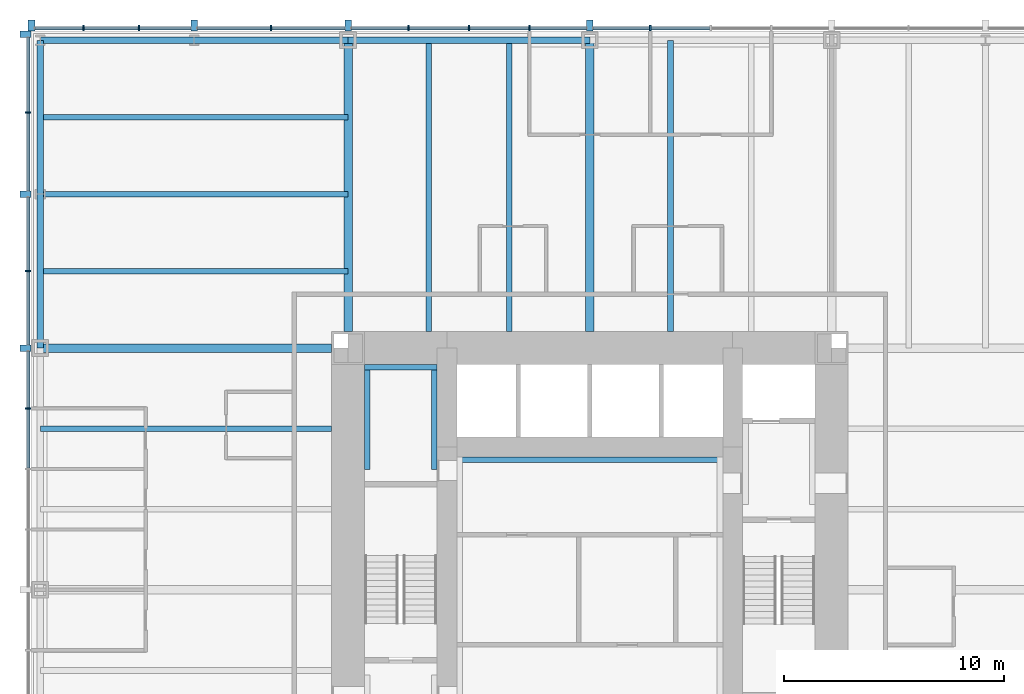
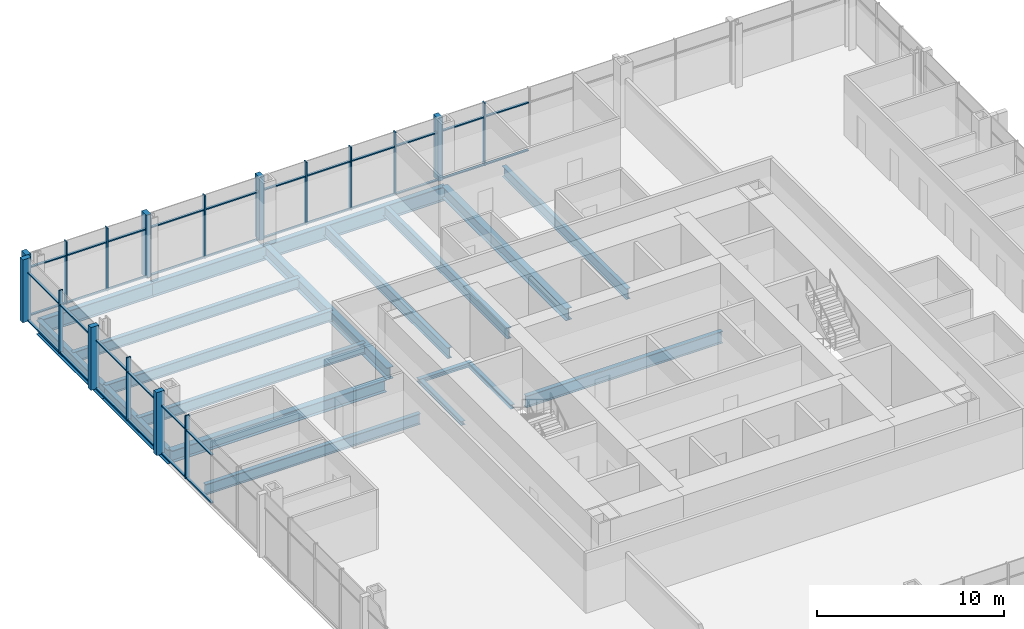
# One storey, part 5 of 12: 51 members, 19 beams, 2 elements without a shape of their own.
"""IFC4 building model written with IfcOpenShell, lengths in metres."""

from ifc_helpers import new_model, si_unit, direction, frame, origin, origin_2d, place, context, subcontext, project, spatial, rectangle, i_section, extrude, material, material_profile, profile_set, type_object, element, aggregate, save


model = new_model("IFC4")

# Units and contexts
model_context = context("Model", 3, precision=1e-05, world=origin(), true_north=direction((0.0, 1.0)))
body_context = subcontext(model_context, "Body", "Model", "MODEL_VIEW")
ifc_project = project(units=[si_unit("LENGTHUNIT", "METRE"), si_unit("AREAUNIT", "SQUARE_METRE"), si_unit("VOLUMEUNIT", "CUBIC_METRE"), si_unit("PLANEANGLEUNIT", "RADIAN"), si_unit("MASSUNIT", "GRAM", prefix="KILO")], contexts=[model_context])

# Site, building, storey
site_placement = place(None, origin())
site = spatial("IfcSite", under=ifc_project, at=site_placement, CompositionType="ELEMENT")
building_placement = place(site_placement, origin())
building = spatial("IfcBuilding", under=site, at=building_placement, Name="Trevanion Tower", CompositionType="ELEMENT")
storey_placement = place(building_placement, frame((0.0, 0.0, 44.699951171875)))
storey = spatial("IfcBuildingStorey", under=building, at=storey_placement, Name="L10", CompositionType="ELEMENT", Elevation=44.699951171875)

# Beams
ifc_material_1 = material(Name="Steel ASTM A992 Grade 50", Category="steel")
ifc_material_profile_1 = material_profile(ifc_material_1, i_section(OverallWidth=0.25390625, OverallDepth=0.700927734375, WebThickness=0.015380859375, FlangeThickness=0.02783203125, at=origin_2d()), Name="W27X129")
ifc_profile_set_1 = profile_set([ifc_material_profile_1], Name="Steel ASTM A992 Grade 50")
beam_type_1 = type_object("IfcBeamType", Name="B3 W27X129", PredefinedType="BEAM", material=ifc_profile_set_1)
for number, where, z_axis, x_axis, name in (
    (1, (3.666748046875, 11.75, -0.54052734375), (0.0, 1.0, 0.0), (-1.0, 0.0, 0.0), "B3 L10"),
    (2, (-3.666748046875, 11.75, -0.54052734375), (0.0, 1.0, 0.0), (-1.0, 0.0, 0.0), "B3 L10"),
    (3, (-7.333251953125, 11.75, -0.54052734375), (0.0, 1.0, 0.0), (-1.0, 0.0, 0.0), "B3 L10"),
    (4, (-11.75, 7.333251953125, -0.54052734375), (-1.0, 0.0, 0.0), (0.0, -1.0, 0.0), "B3 L10"),
):
    element("IfcBeam", number, at=place(storey_placement, frame(where, z_axis=z_axis, x_axis=x_axis)), inside=storey, type_object=beam_type_1, Name=name, PredefinedType="BEAM", context=body_context, shape_type="SweptSolid", body=[
        extrude(i_section(OverallWidth=0.25390625, OverallDepth=0.700927734375, WebThickness=0.015380859375, FlangeThickness=0.02783203125, at=origin_2d()), origin(), (0.0, 0.0, 1.0), 13.25),
    ])
ifc_material_2 = material(Name="Steel ASTM A992 Grade 50", Category="steel")
ifc_material_profile_2 = material_profile(ifc_material_2, i_section(OverallWidth=0.256591796875, OverallDepth=0.693359375, WebThickness=0.014404296875, FlangeThickness=0.023681640625, at=origin_2d()), Name="W27X114")
ifc_profile_set_2 = profile_set([ifc_material_profile_2], Name="Steel ASTM A992 Grade 50")
beam_type_2 = type_object("IfcBeamType", Name="B4 W27X114", PredefinedType="BEAM", material=ifc_profile_set_2)
for number, where, z_axis, x_axis, name in (
    (5, (-11.0, 14.5, -0.53662109375), (-1.0, 0.0, 0.0), (0.0, -1.0, 0.0), "B4 L10"),
    (6, (-11.0, 18.0, -0.53662109375), (-1.0, 0.0, 0.0), (0.0, -1.0, 0.0), "B4 L10"),
    (7, (-11.0, 21.5, -0.53662109375), (-1.0, 0.0, 0.0), (0.0, -1.0, 0.0), "B4 L10"),
):
    element("IfcBeam", number, at=place(storey_placement, frame(where, z_axis=z_axis, x_axis=x_axis)), inside=storey, type_object=beam_type_2, Name=name, PredefinedType="BEAM", context=body_context, shape_type="SweptSolid", body=[
        extrude(i_section(OverallWidth=0.256591796875, OverallDepth=0.693359375, WebThickness=0.014404296875, FlangeThickness=0.023681640625, at=origin_2d()), origin(), (0.0, 0.0, 1.0), 14.0),
    ])

# Curtain wall, members
ifc_material_3 = material(Name="Aluminium and glass", Category="aluminium")
curtain_wall_type = type_object("IfcCurtainWallType", Name="CW1 curtain wall", PredefinedType="USERDEFINED", material=ifc_material_3)
curtain_wall_1_placement = place(storey_placement, origin())
curtain_wall_1 = element("IfcCurtainWall", 8, at=curtain_wall_1_placement, inside=storey, type_object=curtain_wall_type, Name="CW1 L10 1", ObjectType="UNITISED CURTAIN WALL", PredefinedType="USERDEFINED")
ifc_material_4 = material(Name="Aluminium extrusion, anodised bronze", Category="aluminium")
ifc_material_profile_3 = material_profile(ifc_material_4, rectangle(XDim=0.074951171875, YDim=0.25, at=origin_2d()), Name="CW1 mullion")
ifc_profile_set_3 = profile_set([ifc_material_profile_3], Name="Aluminium extrusion, anodised bronze")
member_type_1 = type_object("IfcMemberType", Name="CW1 mullion", PredefinedType="MULLION", material=ifc_profile_set_3)
member_1_placement = place(storey_placement, frame((2.75, 25.550048828125, -0.18994140625), z_axis=(0.0, 0.0, 1.0), x_axis=(-1.0, 0.0, 0.0)))
member_1 = element("IfcMember", 9, at=member_1_placement, type_object=member_type_1, Name="CW1 mullion 8", PredefinedType="MULLION", context=body_context, shape_type="SweptSolid", body=[
    extrude(rectangle(XDim=0.074951171875, YDim=0.25, at=origin_2d()), origin(), (0.0, 0.0, 1.0), 4.10009765625),
])
member_2_placement = place(storey_placement, frame((-2.75, 25.550048828125, -0.18994140625), z_axis=(0.0, 0.0, 1.0), x_axis=(-1.0, 0.0, 0.0)))
member_2 = element("IfcMember", 10, at=member_2_placement, type_object=member_type_1, Name="CW1 mullion 10", PredefinedType="MULLION", context=body_context, shape_type="SweptSolid", body=[
    extrude(rectangle(XDim=0.074951171875, YDim=0.25, at=origin_2d()), origin(), (0.0, 0.0, 1.0), 4.10009765625),
])
member_3_placement = place(storey_placement, frame((-5.5, 25.550048828125, -0.18994140625), z_axis=(0.0, 0.0, 1.0), x_axis=(-1.0, 0.0, 0.0)))
member_3 = element("IfcMember", 11, at=member_3_placement, type_object=member_type_1, Name="CW1 mullion 11", PredefinedType="MULLION", context=body_context, shape_type="SweptSolid", body=[
    extrude(rectangle(XDim=0.074951171875, YDim=0.25, at=origin_2d()), origin(), (0.0, 0.0, 1.0), 4.10009765625),
])
member_4_placement = place(storey_placement, frame((-8.25, 25.550048828125, -0.18994140625), z_axis=(0.0, 0.0, 1.0), x_axis=(-1.0, 0.0, 0.0)))
member_4 = element("IfcMember", 12, at=member_4_placement, type_object=member_type_1, Name="CW1 mullion 12", PredefinedType="MULLION", context=body_context, shape_type="SweptSolid", body=[
    extrude(rectangle(XDim=0.074951171875, YDim=0.25, at=origin_2d()), origin(), (0.0, 0.0, 1.0), 4.10009765625),
])
member_5_placement = place(storey_placement, frame((-14.5, 25.550048828125, -0.18994140625), z_axis=(0.0, 0.0, 1.0), x_axis=(-1.0, 0.0, 0.0)))
member_5 = element("IfcMember", 13, at=member_5_placement, type_object=member_type_1, Name="CW1 mullion 14", PredefinedType="MULLION", context=body_context, shape_type="SweptSolid", body=[
    extrude(rectangle(XDim=0.074951171875, YDim=0.25, at=origin_2d()), origin(), (0.0, 0.0, 1.0), 4.10009765625),
])
member_6_placement = place(storey_placement, frame((-20.5166015625, 25.550048828125, -0.18994140625), z_axis=(0.0, 0.0, 1.0), x_axis=(-1.0, 0.0, 0.0)))
member_6 = element("IfcMember", 14, at=member_6_placement, type_object=member_type_1, Name="CW1 mullion 16", PredefinedType="MULLION", context=body_context, shape_type="SweptSolid", body=[
    extrude(rectangle(XDim=0.074951171875, YDim=0.25, at=origin_2d()), origin(), (0.0, 0.0, 1.0), 4.10009765625),
])
member_7_placement = place(storey_placement, frame((-23.033203125, 25.550048828125, -0.18994140625), z_axis=(0.0, 0.0, 1.0), x_axis=(-1.0, 0.0, 0.0)))
member_7 = element("IfcMember", 15, at=member_7_placement, type_object=member_type_1, Name="CW1 mullion 17", PredefinedType="MULLION", context=body_context, shape_type="SweptSolid", body=[
    extrude(rectangle(XDim=0.074951171875, YDim=0.25, at=origin_2d()), origin(), (0.0, 0.0, 1.0), 4.10009765625),
])

curtain_wall_2_placement = place(storey_placement, origin())
curtain_wall_2 = element("IfcCurtainWall", 16, at=curtain_wall_2_placement, inside=storey, type_object=curtain_wall_type, Name="CW1 L10 2", ObjectType="UNITISED CURTAIN WALL", PredefinedType="USERDEFINED")
member_8_placement = place(storey_placement, frame((-25.550048828125, 21.7099609375, -0.18994140625), z_axis=(0.0, 0.0, 1.0), x_axis=(0.0, -1.0, 0.0)))
member_8 = element("IfcMember", 17, at=member_8_placement, type_object=member_type_1, Name="CW1 mullion 2", PredefinedType="MULLION", context=body_context, shape_type="SweptSolid", body=[
    extrude(rectangle(XDim=0.074951171875, YDim=0.25, at=origin_2d()), origin(), (0.0, 0.0, 1.0), 4.10009765625),
])
member_9_placement = place(storey_placement, frame((-25.550048828125, 14.5, -0.18994140625), z_axis=(0.0, 0.0, 1.0), x_axis=(0.0, -1.0, 0.0)))
member_9 = element("IfcMember", 18, at=member_9_placement, type_object=member_type_1, Name="CW1 mullion 4", PredefinedType="MULLION", context=body_context, shape_type="SweptSolid", body=[
    extrude(rectangle(XDim=0.074951171875, YDim=0.25, at=origin_2d()), origin(), (0.0, 0.0, 1.0), 4.10009765625),
])
member_10_placement = place(storey_placement, frame((-25.550048828125, 8.25, -0.18994140625), z_axis=(0.0, 0.0, 1.0), x_axis=(0.0, -1.0, 0.0)))
member_10 = element("IfcMember", 19, at=member_10_placement, type_object=member_type_1, Name="CW1 mullion 6", PredefinedType="MULLION", context=body_context, shape_type="SweptSolid", body=[
    extrude(rectangle(XDim=0.074951171875, YDim=0.25, at=origin_2d()), origin(), (0.0, 0.0, 1.0), 4.10009765625),
])

# Member
ifc_material_5 = material(Name="Aluminium extrusion, anodised bronze", Category="aluminium")
ifc_material_profile_4 = material_profile(ifc_material_5, rectangle(XDim=0.300048828125, YDim=0.5, at=origin_2d()), Name="CW1 pier mullion")
ifc_profile_set_4 = profile_set([ifc_material_profile_4], Name="Aluminium extrusion, anodised bronze")
member_type_2 = type_object("IfcMemberType", Name="CW1 pier mullion", PredefinedType="MULLION", material=ifc_profile_set_4)
member_11_placement = place(storey_placement, frame((0.0, 25.675048828125, -0.18994140625), z_axis=(0.0, 0.0, 1.0), x_axis=(-1.0, 0.0, 0.0)))
member_11 = element("IfcMember", 20, at=member_11_placement, type_object=member_type_2, Name="CW1 pier mullion 9", PredefinedType="MULLION", context=body_context, shape_type="SweptSolid", body=[
    extrude(rectangle(XDim=0.300048828125, YDim=0.5, at=origin_2d()), origin(), (0.0, 0.0, 1.0), 4.10009765625),
])

member_12_placement = place(storey_placement, frame((-11.0, 25.675048828125, -0.18994140625), z_axis=(0.0, 0.0, 1.0), x_axis=(-1.0, 0.0, 0.0)))
member_12 = element("IfcMember", 21, at=member_12_placement, type_object=member_type_2, Name="CW1 pier mullion 13", PredefinedType="MULLION", context=body_context, shape_type="SweptSolid", body=[
    extrude(rectangle(XDim=0.300048828125, YDim=0.5, at=origin_2d()), origin(), (0.0, 0.0, 1.0), 4.10009765625),
])

member_13_placement = place(storey_placement, frame((-18.0, 25.675048828125, -0.18994140625), z_axis=(0.0, 0.0, 1.0), x_axis=(-1.0, 0.0, 0.0)))
member_13 = element("IfcMember", 22, at=member_13_placement, type_object=member_type_2, Name="CW1 pier mullion 15", PredefinedType="MULLION", context=body_context, shape_type="SweptSolid", body=[
    extrude(rectangle(XDim=0.300048828125, YDim=0.5, at=origin_2d()), origin(), (0.0, 0.0, 1.0), 4.10009765625),
])

member_14_placement = place(storey_placement, frame((-25.39990234375, 25.675048828125, -0.18994140625), z_axis=(0.0, 0.0, 1.0), x_axis=(-1.0, 0.0, 0.0)))
member_14 = element("IfcMember", 23, at=member_14_placement, type_object=member_type_2, Name="CW1 pier mullion 18", PredefinedType="MULLION", context=body_context, shape_type="SweptSolid", body=[
    extrude(rectangle(XDim=0.300048828125, YDim=0.5, at=origin_2d()), origin(), (0.0, 0.0, 1.0), 4.10009765625),
])

member_15_placement = place(storey_placement, frame((-25.675048828125, 25.27001953125, -0.18994140625), z_axis=(0.0, 0.0, 1.0), x_axis=(0.0, -1.0, 0.0)))
member_15 = element("IfcMember", 24, at=member_15_placement, type_object=member_type_2, Name="CW1 pier mullion 1", PredefinedType="MULLION", context=body_context, shape_type="SweptSolid", body=[
    extrude(rectangle(XDim=0.300048828125, YDim=0.5, at=origin_2d()), origin(), (0.0, 0.0, 1.0), 4.10009765625),
])

member_16_placement = place(storey_placement, frame((-25.675048828125, 18.0, -0.18994140625), z_axis=(0.0, 0.0, 1.0), x_axis=(0.0, -1.0, 0.0)))
member_16 = element("IfcMember", 25, at=member_16_placement, type_object=member_type_2, Name="CW1 pier mullion 3", PredefinedType="MULLION", context=body_context, shape_type="SweptSolid", body=[
    extrude(rectangle(XDim=0.300048828125, YDim=0.5, at=origin_2d()), origin(), (0.0, 0.0, 1.0), 4.10009765625),
])

member_17_placement = place(storey_placement, frame((-25.675048828125, 11.0, -0.18994140625), z_axis=(0.0, 0.0, 1.0), x_axis=(0.0, -1.0, 0.0)))
member_17 = element("IfcMember", 26, at=member_17_placement, type_object=member_type_2, Name="CW1 pier mullion 5", PredefinedType="MULLION", context=body_context, shape_type="SweptSolid", body=[
    extrude(rectangle(XDim=0.300048828125, YDim=0.5, at=origin_2d()), origin(), (0.0, 0.0, 1.0), 4.10009765625),
])

ifc_material_6 = material(Name="Aluminium extrusion, anodised bronze", Category="aluminium")
ifc_material_profile_5 = material_profile(ifc_material_6, rectangle(XDim=0.14990234375, YDim=0.074951171875, at=origin_2d()), Name="CW1 transom")
ifc_profile_set_5 = profile_set([ifc_material_profile_5], Name="Aluminium extrusion, anodised bronze")
member_type_3 = type_object("IfcMemberType", Name="CW1 transom", PredefinedType="USERDEFINED", material=ifc_profile_set_5)
member_18_placement = place(storey_placement, frame((5.46240234375, 25.550048828125, -0.15234375), z_axis=(-1.0, 0.0, 0.0), x_axis=(0.0, -1.0, 0.0)))
member_18 = element("IfcMember", 27, at=member_18_placement, type_object=member_type_3, Name="CW1 transom 7.1", ObjectType="TRANSOM", PredefinedType="USERDEFINED", context=body_context, shape_type="SweptSolid", body=[
    extrude(rectangle(XDim=0.14990234375, YDim=0.074951171875, at=origin_2d()), origin(), (0.0, 0.0, 1.0), 2.6748046875),
])

member_19_placement = place(storey_placement, frame((5.46240234375, 25.550048828125, 2.9599609375), z_axis=(-1.0, 0.0, 0.0), x_axis=(0.0, -1.0, 0.0)))
member_19 = element("IfcMember", 28, at=member_19_placement, type_object=member_type_3, Name="CW1 transom 7.2", ObjectType="TRANSOM", PredefinedType="USERDEFINED", context=body_context, shape_type="SweptSolid", body=[
    extrude(rectangle(XDim=0.14990234375, YDim=0.074951171875, at=origin_2d()), origin(), (0.0, 0.0, 1.0), 2.6748046875),
])

member_20_placement = place(storey_placement, frame((2.71240234375, 25.550048828125, -0.15234375), z_axis=(-1.0, 0.0, 0.0), x_axis=(0.0, -1.0, 0.0)))
member_20 = element("IfcMember", 29, at=member_20_placement, type_object=member_type_3, Name="CW1 transom 8.1", ObjectType="TRANSOM", PredefinedType="USERDEFINED", context=body_context, shape_type="SweptSolid", body=[
    extrude(rectangle(XDim=0.14990234375, YDim=0.074951171875, at=origin_2d()), origin(), (0.0, 0.0, 1.0), 2.5625),
])

member_21_placement = place(storey_placement, frame((2.71240234375, 25.550048828125, 2.9599609375), z_axis=(-1.0, 0.0, 0.0), x_axis=(0.0, -1.0, 0.0)))
member_21 = element("IfcMember", 30, at=member_21_placement, type_object=member_type_3, Name="CW1 transom 8.2", ObjectType="TRANSOM", PredefinedType="USERDEFINED", context=body_context, shape_type="SweptSolid", body=[
    extrude(rectangle(XDim=0.14990234375, YDim=0.074951171875, at=origin_2d()), origin(), (0.0, 0.0, 1.0), 2.5625),
])

member_22_placement = place(storey_placement, frame((-0.14990234375, 25.550048828125, -0.15234375), z_axis=(-1.0, 0.0, 0.0), x_axis=(0.0, -1.0, 0.0)))
member_22 = element("IfcMember", 31, at=member_22_placement, type_object=member_type_3, Name="CW1 transom 9.1", ObjectType="TRANSOM", PredefinedType="USERDEFINED", context=body_context, shape_type="SweptSolid", body=[
    extrude(rectangle(XDim=0.14990234375, YDim=0.074951171875, at=origin_2d()), origin(), (0.0, 0.0, 1.0), 2.5625),
])

member_23_placement = place(storey_placement, frame((-0.14990234375, 25.550048828125, 2.9599609375), z_axis=(-1.0, 0.0, 0.0), x_axis=(0.0, -1.0, 0.0)))
member_23 = element("IfcMember", 32, at=member_23_placement, type_object=member_type_3, Name="CW1 transom 9.2", ObjectType="TRANSOM", PredefinedType="USERDEFINED", context=body_context, shape_type="SweptSolid", body=[
    extrude(rectangle(XDim=0.14990234375, YDim=0.074951171875, at=origin_2d()), origin(), (0.0, 0.0, 1.0), 2.5625),
])

member_24_placement = place(storey_placement, frame((-2.78759765625, 25.550048828125, -0.15234375), z_axis=(-1.0, 0.0, 0.0), x_axis=(0.0, -1.0, 0.0)))
member_24 = element("IfcMember", 33, at=member_24_placement, type_object=member_type_3, Name="CW1 transom 10.1", ObjectType="TRANSOM", PredefinedType="USERDEFINED", context=body_context, shape_type="SweptSolid", body=[
    extrude(rectangle(XDim=0.14990234375, YDim=0.074951171875, at=origin_2d()), origin(), (0.0, 0.0, 1.0), 2.6748046875),
])

member_25_placement = place(storey_placement, frame((-2.78759765625, 25.550048828125, 2.9599609375), z_axis=(-1.0, 0.0, 0.0), x_axis=(0.0, -1.0, 0.0)))
member_25 = element("IfcMember", 34, at=member_25_placement, type_object=member_type_3, Name="CW1 transom 10.2", ObjectType="TRANSOM", PredefinedType="USERDEFINED", context=body_context, shape_type="SweptSolid", body=[
    extrude(rectangle(XDim=0.14990234375, YDim=0.074951171875, at=origin_2d()), origin(), (0.0, 0.0, 1.0), 2.6748046875),
])

member_26_placement = place(storey_placement, frame((-5.53759765625, 25.550048828125, -0.15234375), z_axis=(-1.0, 0.0, 0.0), x_axis=(0.0, -1.0, 0.0)))
member_26 = element("IfcMember", 35, at=member_26_placement, type_object=member_type_3, Name="CW1 transom 11.1", ObjectType="TRANSOM", PredefinedType="USERDEFINED", context=body_context, shape_type="SweptSolid", body=[
    extrude(rectangle(XDim=0.14990234375, YDim=0.074951171875, at=origin_2d()), origin(), (0.0, 0.0, 1.0), 2.6748046875),
])

member_27_placement = place(storey_placement, frame((-5.53759765625, 25.550048828125, 2.9599609375), z_axis=(-1.0, 0.0, 0.0), x_axis=(0.0, -1.0, 0.0)))
member_27 = element("IfcMember", 36, at=member_27_placement, type_object=member_type_3, Name="CW1 transom 11.2", ObjectType="TRANSOM", PredefinedType="USERDEFINED", context=body_context, shape_type="SweptSolid", body=[
    extrude(rectangle(XDim=0.14990234375, YDim=0.074951171875, at=origin_2d()), origin(), (0.0, 0.0, 1.0), 2.6748046875),
])

member_28_placement = place(storey_placement, frame((-8.28759765625, 25.550048828125, -0.15234375), z_axis=(-1.0, 0.0, 0.0), x_axis=(0.0, -1.0, 0.0)))
member_28 = element("IfcMember", 37, at=member_28_placement, type_object=member_type_3, Name="CW1 transom 12.1", ObjectType="TRANSOM", PredefinedType="USERDEFINED", context=body_context, shape_type="SweptSolid", body=[
    extrude(rectangle(XDim=0.14990234375, YDim=0.074951171875, at=origin_2d()), origin(), (0.0, 0.0, 1.0), 2.5625),
])

member_29_placement = place(storey_placement, frame((-8.28759765625, 25.550048828125, 2.9599609375), z_axis=(-1.0, 0.0, 0.0), x_axis=(0.0, -1.0, 0.0)))
member_29 = element("IfcMember", 38, at=member_29_placement, type_object=member_type_3, Name="CW1 transom 12.2", ObjectType="TRANSOM", PredefinedType="USERDEFINED", context=body_context, shape_type="SweptSolid", body=[
    extrude(rectangle(XDim=0.14990234375, YDim=0.074951171875, at=origin_2d()), origin(), (0.0, 0.0, 1.0), 2.5625),
])

member_30_placement = place(storey_placement, frame((-11.14990234375, 25.550048828125, -0.15234375), z_axis=(-1.0, 0.0, 0.0), x_axis=(0.0, -1.0, 0.0)))
member_30 = element("IfcMember", 39, at=member_30_placement, type_object=member_type_3, Name="CW1 transom 13.1", ObjectType="TRANSOM", PredefinedType="USERDEFINED", context=body_context, shape_type="SweptSolid", body=[
    extrude(rectangle(XDim=0.14990234375, YDim=0.074951171875, at=origin_2d()), origin(), (0.0, 0.0, 1.0), 3.3125),
])

member_31_placement = place(storey_placement, frame((-11.14990234375, 25.550048828125, 2.9599609375), z_axis=(-1.0, 0.0, 0.0), x_axis=(0.0, -1.0, 0.0)))
member_31 = element("IfcMember", 40, at=member_31_placement, type_object=member_type_3, Name="CW1 transom 13.2", ObjectType="TRANSOM", PredefinedType="USERDEFINED", context=body_context, shape_type="SweptSolid", body=[
    extrude(rectangle(XDim=0.14990234375, YDim=0.074951171875, at=origin_2d()), origin(), (0.0, 0.0, 1.0), 3.3125),
])

member_32_placement = place(storey_placement, frame((-14.53759765625, 25.550048828125, -0.15234375), z_axis=(-1.0, 0.0, 0.0), x_axis=(0.0, -1.0, 0.0)))
member_32 = element("IfcMember", 41, at=member_32_placement, type_object=member_type_3, Name="CW1 transom 14.1", ObjectType="TRANSOM", PredefinedType="USERDEFINED", context=body_context, shape_type="SweptSolid", body=[
    extrude(rectangle(XDim=0.14990234375, YDim=0.074951171875, at=origin_2d()), origin(), (0.0, 0.0, 1.0), 3.3125),
])

member_33_placement = place(storey_placement, frame((-14.53759765625, 25.550048828125, 2.9599609375), z_axis=(-1.0, 0.0, 0.0), x_axis=(0.0, -1.0, 0.0)))
member_33 = element("IfcMember", 42, at=member_33_placement, type_object=member_type_3, Name="CW1 transom 14.2", ObjectType="TRANSOM", PredefinedType="USERDEFINED", context=body_context, shape_type="SweptSolid", body=[
    extrude(rectangle(XDim=0.14990234375, YDim=0.074951171875, at=origin_2d()), origin(), (0.0, 0.0, 1.0), 3.3125),
])

member_34_placement = place(storey_placement, frame((-18.14990234375, 25.550048828125, -0.15234375), z_axis=(-1.0, 0.0, 0.0), x_axis=(0.0, -1.0, 0.0)))
member_34 = element("IfcMember", 43, at=member_34_placement, type_object=member_type_3, Name="CW1 transom 15.1", ObjectType="TRANSOM", PredefinedType="USERDEFINED", context=body_context, shape_type="SweptSolid", body=[
    extrude(rectangle(XDim=0.14990234375, YDim=0.074951171875, at=origin_2d()), origin(), (0.0, 0.0, 1.0), 2.329345703125),
])

member_35_placement = place(storey_placement, frame((-18.14990234375, 25.550048828125, 2.9599609375), z_axis=(-1.0, 0.0, 0.0), x_axis=(0.0, -1.0, 0.0)))
member_35 = element("IfcMember", 44, at=member_35_placement, type_object=member_type_3, Name="CW1 transom 15.2", ObjectType="TRANSOM", PredefinedType="USERDEFINED", context=body_context, shape_type="SweptSolid", body=[
    extrude(rectangle(XDim=0.14990234375, YDim=0.074951171875, at=origin_2d()), origin(), (0.0, 0.0, 1.0), 2.329345703125),
])

member_36_placement = place(storey_placement, frame((-20.55419921875, 25.550048828125, -0.15234375), z_axis=(-1.0, 0.0, 0.0), x_axis=(0.0, -1.0, 0.0)))
member_36 = element("IfcMember", 45, at=member_36_placement, type_object=member_type_3, Name="CW1 transom 16.1", ObjectType="TRANSOM", PredefinedType="USERDEFINED", context=body_context, shape_type="SweptSolid", body=[
    extrude(rectangle(XDim=0.14990234375, YDim=0.074951171875, at=origin_2d()), origin(), (0.0, 0.0, 1.0), 2.441650390625),
])

member_37_placement = place(storey_placement, frame((-20.55419921875, 25.550048828125, 2.9599609375), z_axis=(-1.0, 0.0, 0.0), x_axis=(0.0, -1.0, 0.0)))
member_37 = element("IfcMember", 46, at=member_37_placement, type_object=member_type_3, Name="CW1 transom 16.2", ObjectType="TRANSOM", PredefinedType="USERDEFINED", context=body_context, shape_type="SweptSolid", body=[
    extrude(rectangle(XDim=0.14990234375, YDim=0.074951171875, at=origin_2d()), origin(), (0.0, 0.0, 1.0), 2.441650390625),
])

member_38_placement = place(storey_placement, frame((-23.07080078125, 25.550048828125, -0.15234375), z_axis=(-1.0, 0.0, 0.0), x_axis=(0.0, -1.0, 0.0)))
member_38 = element("IfcMember", 47, at=member_38_placement, type_object=member_type_3, Name="CW1 transom 17.1", ObjectType="TRANSOM", PredefinedType="USERDEFINED", context=body_context, shape_type="SweptSolid", body=[
    extrude(rectangle(XDim=0.14990234375, YDim=0.074951171875, at=origin_2d()), origin(), (0.0, 0.0, 1.0), 2.17919921875),
])

member_39_placement = place(storey_placement, frame((-23.07080078125, 25.550048828125, 2.9599609375), z_axis=(-1.0, 0.0, 0.0), x_axis=(0.0, -1.0, 0.0)))
member_39 = element("IfcMember", 48, at=member_39_placement, type_object=member_type_3, Name="CW1 transom 17.2", ObjectType="TRANSOM", PredefinedType="USERDEFINED", context=body_context, shape_type="SweptSolid", body=[
    extrude(rectangle(XDim=0.14990234375, YDim=0.074951171875, at=origin_2d()), origin(), (0.0, 0.0, 1.0), 2.17919921875),
])

aggregate(curtain_wall_1, [member_1, member_11, member_2, member_3, member_4, member_12, member_5, member_13, member_6, member_7, member_14, member_18, member_19, member_20, member_21, member_22, member_23, member_24, member_25, member_26, member_27, member_28, member_29, member_30, member_31, member_32, member_33, member_34, member_35, member_36, member_37, member_38, member_39])

member_40_placement = place(storey_placement, frame((-25.550048828125, 25.1201171875, -0.15234375), z_axis=(0.0, -1.0, 0.0), x_axis=(1.0, 0.0, 0.0)))
member_40 = element("IfcMember", 49, at=member_40_placement, type_object=member_type_3, Name="CW1 transom 1.1", ObjectType="TRANSOM", PredefinedType="USERDEFINED", context=body_context, shape_type="SweptSolid", body=[
    extrude(rectangle(XDim=0.14990234375, YDim=0.074951171875, at=origin_2d()), origin(), (0.0, 0.0, 1.0), 3.37255859375),
])

member_41_placement = place(storey_placement, frame((-25.550048828125, 25.1201171875, 2.9599609375), z_axis=(0.0, -1.0, 0.0), x_axis=(1.0, 0.0, 0.0)))
member_41 = element("IfcMember", 50, at=member_41_placement, type_object=member_type_3, Name="CW1 transom 1.2", ObjectType="TRANSOM", PredefinedType="USERDEFINED", context=body_context, shape_type="SweptSolid", body=[
    extrude(rectangle(XDim=0.14990234375, YDim=0.074951171875, at=origin_2d()), origin(), (0.0, 0.0, 1.0), 3.37255859375),
])

member_42_placement = place(storey_placement, frame((-25.550048828125, 21.672607421875, -0.15234375), z_axis=(0.0, -1.0, 0.0), x_axis=(1.0, 0.0, 0.0)))
member_42 = element("IfcMember", 51, at=member_42_placement, type_object=member_type_3, Name="CW1 transom 2.1", ObjectType="TRANSOM", PredefinedType="USERDEFINED", context=body_context, shape_type="SweptSolid", body=[
    extrude(rectangle(XDim=0.14990234375, YDim=0.074951171875, at=origin_2d()), origin(), (0.0, 0.0, 1.0), 3.522705078125),
])

member_43_placement = place(storey_placement, frame((-25.550048828125, 21.672607421875, 2.9599609375), z_axis=(0.0, -1.0, 0.0), x_axis=(1.0, 0.0, 0.0)))
member_43 = element("IfcMember", 52, at=member_43_placement, type_object=member_type_3, Name="CW1 transom 2.2", ObjectType="TRANSOM", PredefinedType="USERDEFINED", context=body_context, shape_type="SweptSolid", body=[
    extrude(rectangle(XDim=0.14990234375, YDim=0.074951171875, at=origin_2d()), origin(), (0.0, 0.0, 1.0), 3.522705078125),
])

member_44_placement = place(storey_placement, frame((-25.550048828125, 17.85009765625, -0.15234375), z_axis=(0.0, -1.0, 0.0), x_axis=(1.0, 0.0, 0.0)))
member_44 = element("IfcMember", 53, at=member_44_placement, type_object=member_type_3, Name="CW1 transom 3.1", ObjectType="TRANSOM", PredefinedType="USERDEFINED", context=body_context, shape_type="SweptSolid", body=[
    extrude(rectangle(XDim=0.14990234375, YDim=0.074951171875, at=origin_2d()), origin(), (0.0, 0.0, 1.0), 3.3125),
])

member_45_placement = place(storey_placement, frame((-25.550048828125, 17.85009765625, 2.9599609375), z_axis=(0.0, -1.0, 0.0), x_axis=(1.0, 0.0, 0.0)))
member_45 = element("IfcMember", 54, at=member_45_placement, type_object=member_type_3, Name="CW1 transom 3.2", ObjectType="TRANSOM", PredefinedType="USERDEFINED", context=body_context, shape_type="SweptSolid", body=[
    extrude(rectangle(XDim=0.14990234375, YDim=0.074951171875, at=origin_2d()), origin(), (0.0, 0.0, 1.0), 3.3125),
])

member_46_placement = place(storey_placement, frame((-25.550048828125, 14.46240234375, -0.15234375), z_axis=(0.0, -1.0, 0.0), x_axis=(1.0, 0.0, 0.0)))
member_46 = element("IfcMember", 55, at=member_46_placement, type_object=member_type_3, Name="CW1 transom 4.1", ObjectType="TRANSOM", PredefinedType="USERDEFINED", context=body_context, shape_type="SweptSolid", body=[
    extrude(rectangle(XDim=0.14990234375, YDim=0.074951171875, at=origin_2d()), origin(), (0.0, 0.0, 1.0), 3.3125),
])

member_47_placement = place(storey_placement, frame((-25.550048828125, 14.46240234375, 2.9599609375), z_axis=(0.0, -1.0, 0.0), x_axis=(1.0, 0.0, 0.0)))
member_47 = element("IfcMember", 56, at=member_47_placement, type_object=member_type_3, Name="CW1 transom 4.2", ObjectType="TRANSOM", PredefinedType="USERDEFINED", context=body_context, shape_type="SweptSolid", body=[
    extrude(rectangle(XDim=0.14990234375, YDim=0.074951171875, at=origin_2d()), origin(), (0.0, 0.0, 1.0), 3.3125),
])

member_48_placement = place(storey_placement, frame((-25.550048828125, 10.85009765625, -0.15234375), z_axis=(0.0, -1.0, 0.0), x_axis=(1.0, 0.0, 0.0)))
member_48 = element("IfcMember", 57, at=member_48_placement, type_object=member_type_3, Name="CW1 transom 5.1", ObjectType="TRANSOM", PredefinedType="USERDEFINED", context=body_context, shape_type="SweptSolid", body=[
    extrude(rectangle(XDim=0.14990234375, YDim=0.074951171875, at=origin_2d()), origin(), (0.0, 0.0, 1.0), 2.5625),
])

member_49_placement = place(storey_placement, frame((-25.550048828125, 10.85009765625, 2.9599609375), z_axis=(0.0, -1.0, 0.0), x_axis=(1.0, 0.0, 0.0)))
member_49 = element("IfcMember", 58, at=member_49_placement, type_object=member_type_3, Name="CW1 transom 5.2", ObjectType="TRANSOM", PredefinedType="USERDEFINED", context=body_context, shape_type="SweptSolid", body=[
    extrude(rectangle(XDim=0.14990234375, YDim=0.074951171875, at=origin_2d()), origin(), (0.0, 0.0, 1.0), 2.5625),
])

member_50_placement = place(storey_placement, frame((-25.550048828125, 8.21240234375, -0.15234375), z_axis=(0.0, -1.0, 0.0), x_axis=(1.0, 0.0, 0.0)))
member_50 = element("IfcMember", 59, at=member_50_placement, type_object=member_type_3, Name="CW1 transom 6.1", ObjectType="TRANSOM", PredefinedType="USERDEFINED", context=body_context, shape_type="SweptSolid", body=[
    extrude(rectangle(XDim=0.14990234375, YDim=0.074951171875, at=origin_2d()), origin(), (0.0, 0.0, 1.0), 2.6748046875),
])

member_51_placement = place(storey_placement, frame((-25.550048828125, 8.21240234375, 2.9599609375), z_axis=(0.0, -1.0, 0.0), x_axis=(1.0, 0.0, 0.0)))
member_51 = element("IfcMember", 60, at=member_51_placement, type_object=member_type_3, Name="CW1 transom 6.2", ObjectType="TRANSOM", PredefinedType="USERDEFINED", context=body_context, shape_type="SweptSolid", body=[
    extrude(rectangle(XDim=0.14990234375, YDim=0.074951171875, at=origin_2d()), origin(), (0.0, 0.0, 1.0), 2.6748046875),
])

aggregate(curtain_wall_2, [member_15, member_8, member_16, member_9, member_17, member_10, member_40, member_41, member_42, member_43, member_44, member_45, member_46, member_47, member_48, member_49, member_50, member_51])

# Beams
ifc_material_7 = material(Name="Steel ASTM A992 Grade 50", Category="steel")
ifc_material_profile_6 = material_profile(ifc_material_7, i_section(OverallWidth=0.381103515625, OverallDepth=0.77978515625, WebThickness=0.01806640625, FlangeThickness=0.0302734375, at=origin_2d()), Name="W30X191")
ifc_profile_set_6 = profile_set([ifc_material_profile_6], Name="Steel ASTM A992 Grade 50")
beam_type_3 = type_object("IfcBeamType", Name="G2 W30X191", PredefinedType="BEAM", material=ifc_profile_set_6)
for number, where, z_axis, x_axis, name in (
    (61, (0.0, 11.75, -0.579833984375), (0.0, 1.0, 0.0), (-1.0, 0.0, 0.0), "G2 L10"),
    (62, (-11.0, 11.75, -0.579833984375), (0.0, 1.0, 0.0), (-1.0, 0.0, 0.0), "G2 L10"),
    (63, (-11.75, 11.0, -0.579833984375), (-1.0, 0.0, 0.0), (0.0, -1.0, 0.0), "G2 L10"),
):
    element("IfcBeam", number, at=place(storey_placement, frame(where, z_axis=z_axis, x_axis=x_axis)), inside=storey, type_object=beam_type_3, Name=name, PredefinedType="BEAM", context=body_context, shape_type="SweptSolid", body=[
        extrude(i_section(OverallWidth=0.381103515625, OverallDepth=0.77978515625, WebThickness=0.01806640625, FlangeThickness=0.0302734375, at=origin_2d()), origin(), (0.0, 0.0, 1.0), 13.25),
    ])
ifc_material_8 = material(Name="Steel ASTM A992 Grade 50", Category="steel")
ifc_material_profile_7 = material_profile(ifc_material_8, i_section(OverallWidth=0.256591796875, OverallDepth=0.26416015625, WebThickness=0.011962890625, FlangeThickness=0.01953125, at=origin_2d()), Name="W10X68")
ifc_profile_set_7 = profile_set([ifc_material_profile_7], Name="Steel ASTM A992 Grade 50")
beam_type_4 = type_object("IfcBeamType", Name="LB1 W10X68", PredefinedType="BEAM", material=ifc_profile_set_7)
for number, where, z_axis, x_axis, name in (
    (64, (-10.12158203125, 5.47509765625, -0.33203125), (0.0, 1.0, 0.0), (-1.0, 0.0, 0.0), "LB1 L10"),
    (65, (-7.078369140625, 5.47509765625, -0.33203125), (0.0, 1.0, 0.0), (-1.0, 0.0, 0.0), "LB1 L10"),
):
    element("IfcBeam", number, at=place(storey_placement, frame(where, z_axis=z_axis, x_axis=x_axis)), inside=storey, type_object=beam_type_4, Name=name, PredefinedType="BEAM", context=body_context, shape_type="SweptSolid", body=[
        extrude(i_section(OverallWidth=0.256591796875, OverallDepth=0.26416015625, WebThickness=0.011962890625, FlangeThickness=0.01953125, at=origin_2d()), origin(), (0.0, 0.0, 1.0), 4.77490234375),
    ])
beam_1_placement = place(storey_placement, frame((-10.25, 10.12158203125, -0.33203125), z_axis=(1.0, 0.0, 0.0), x_axis=(0.0, 1.0, 0.0)))
element("IfcBeam", 66, at=beam_1_placement, inside=storey, type_object=beam_type_4, Name="LB1 L10", PredefinedType="BEAM", context=body_context, shape_type="SweptSolid", body=[
    extrude(i_section(OverallWidth=0.256591796875, OverallDepth=0.26416015625, WebThickness=0.011962890625, FlangeThickness=0.01953125, at=origin_2d()), origin(), (0.0, 0.0, 1.0), 3.300048828125),
])
ifc_material_9 = material(Name="Steel ASTM A992 Grade 50", Category="steel")
ifc_material_profile_8 = material_profile(ifc_material_9, i_section(OverallWidth=0.2666015625, OverallDepth=0.76953125, WebThickness=0.015625, FlangeThickness=0.025390625, at=origin_2d()), Name="W30X132")
ifc_profile_set_8 = profile_set([ifc_material_profile_8], Name="Steel ASTM A992 Grade 50")
beam_type_5 = type_object("IfcBeamType", Name="LB3 W30X132", PredefinedType="BEAM", material=ifc_profile_set_8)
beam_2_placement = place(storey_placement, frame((-6.050048828125, 5.91650390625, -0.584716796875), z_axis=(1.0, 0.0, 0.0), x_axis=(0.0, 1.0, 0.0)))
element("IfcBeam", 67, at=beam_2_placement, inside=storey, type_object=beam_type_5, Name="LB3 L10", PredefinedType="BEAM", context=body_context, shape_type="SweptSolid", body=[
    extrude(i_section(OverallWidth=0.2666015625, OverallDepth=0.76953125, WebThickness=0.015625, FlangeThickness=0.025390625, at=origin_2d()), origin(), (0.0, 0.0, 1.0), 12.10009765625),
])
ifc_material_10 = material(Name="Steel ASTM A992 Grade 50", Category="steel")
ifc_material_profile_9 = material_profile(ifc_material_10, i_section(OverallWidth=0.307373046875, OverallDepth=0.927001953125, WebThickness=0.01953125, FlangeThickness=0.031982421875, at=origin_2d()), Name="W36X194")
ifc_profile_set_9 = profile_set([ifc_material_profile_9], Name="Steel ASTM A992 Grade 50")
beam_type_6 = type_object("IfcBeamType", Name="SB2 W36X194", PredefinedType="SPANDREL", material=ifc_profile_set_9)
beam_3_placement = place(storey_placement, frame((0.0, 25.0, -0.653564453125), z_axis=(-1.0, 0.0, 0.0), x_axis=(0.0, -1.0, 0.0)))
element("IfcBeam", 68, at=beam_3_placement, inside=storey, type_object=beam_type_6, Name="SB2 L10", PredefinedType="SPANDREL", context=body_context, shape_type="SweptSolid", body=[
    extrude(i_section(OverallWidth=0.307373046875, OverallDepth=0.927001953125, WebThickness=0.01953125, FlangeThickness=0.031982421875, at=origin_2d()), origin(), (0.0, 0.0, 1.0), 11.0),
])
for number, where, z_axis, x_axis, name in (
    (69, (-11.0, 25.0, -0.653564453125), (-1.0, 0.0, 0.0), (0.0, -1.0, 0.0), "SB2 L10"),
    (70, (-18.0, 25.0, -0.653564453125), (-1.0, 0.0, 0.0), (0.0, -1.0, 0.0), "SB2 L10"),
    (71, (-25.0, 25.0, -0.653564453125), (0.0, -1.0, 0.0), (1.0, 0.0, 0.0), "SB2 L10"),
    (72, (-25.0, 18.0, -0.653564453125), (0.0, -1.0, 0.0), (1.0, 0.0, 0.0), "SB2 L10"),
):
    element("IfcBeam", number, at=place(storey_placement, frame(where, z_axis=z_axis, x_axis=x_axis)), inside=storey, type_object=beam_type_6, Name=name, PredefinedType="SPANDREL", context=body_context, shape_type="SweptSolid", body=[
        extrude(i_section(OverallWidth=0.307373046875, OverallDepth=0.927001953125, WebThickness=0.01953125, FlangeThickness=0.031982421875, at=origin_2d()), origin(), (0.0, 0.0, 1.0), 7.0),
    ])

save(model, "model.ifc")
